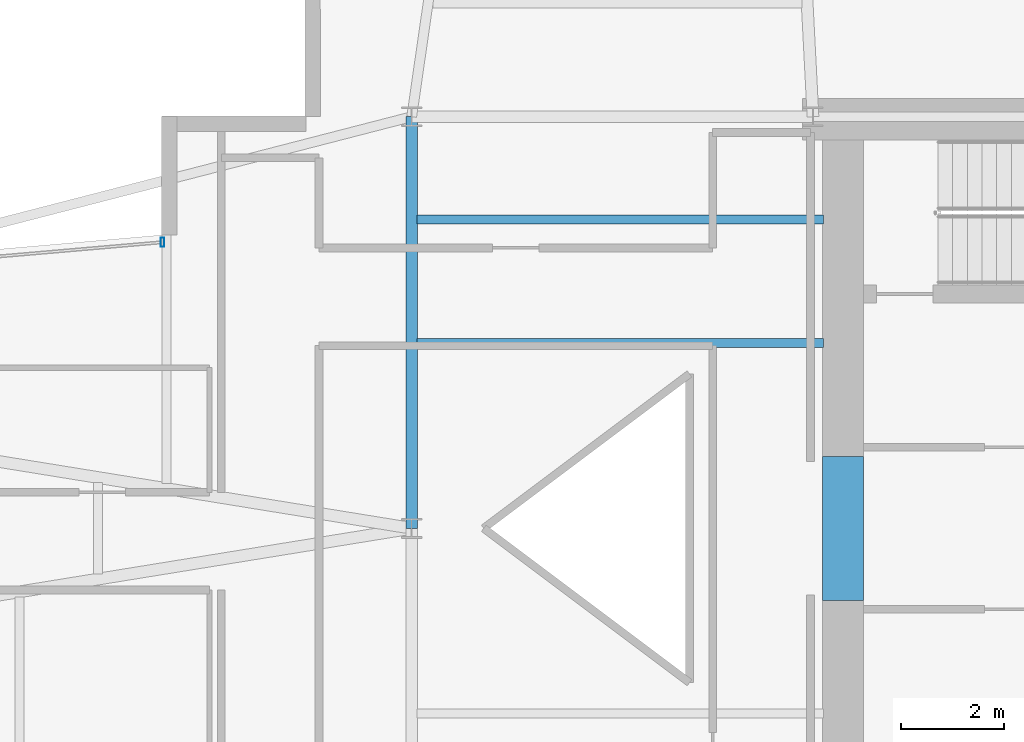
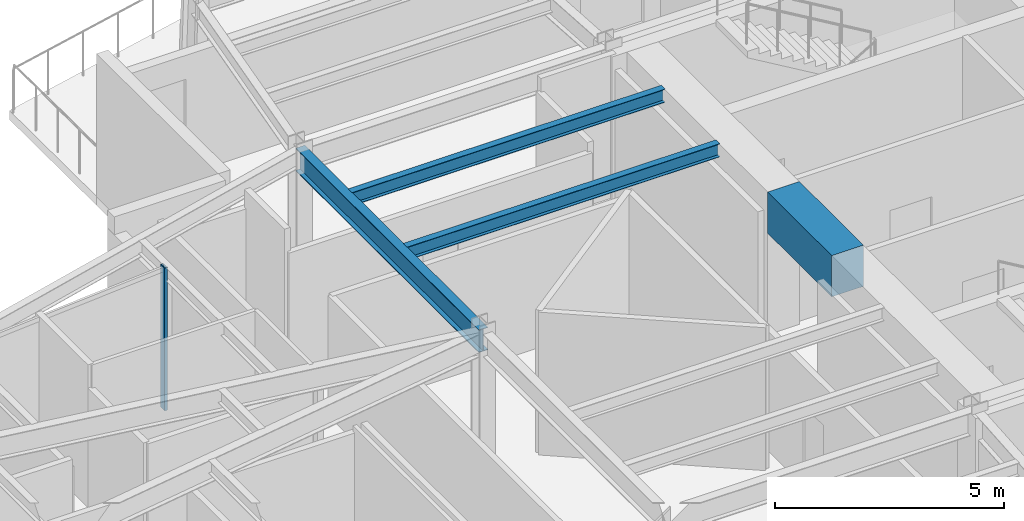
# One storey, part 11 of 23: 4 beams, 1 member, 1 element without a shape of its own.
"""IFC4 building model written with IfcOpenShell, lengths in metres."""

from ifc_helpers import new_model, si_unit, direction, frame, origin, origin_2d, place, context, subcontext, project, spatial, rectangle, hollow_rectangle, i_section, extrude, material, layer, layer_set, material_profile, profile_set, type_object, element, aggregate, save


model = new_model("IFC4")

# Units and contexts
model_context = context("Model", 3, precision=1e-05, world=origin(), true_north=direction((0.0, 1.0)))
body_context = subcontext(model_context, "Body", "Model", "MODEL_VIEW")
ifc_project = project(units=[si_unit("LENGTHUNIT", "METRE"), si_unit("AREAUNIT", "SQUARE_METRE"), si_unit("VOLUMEUNIT", "CUBIC_METRE"), si_unit("PLANEANGLEUNIT", "RADIAN"), si_unit("MASSUNIT", "GRAM", prefix="KILO")], contexts=[model_context])

# Site, building, storey
site_placement = place(None, origin())
site = spatial("IfcSite", under=ifc_project, at=site_placement, CompositionType="ELEMENT")
building_placement = place(site_placement, origin())
building = spatial("IfcBuilding", under=site, at=building_placement, Name="Veymaron Broadcast Tower", CompositionType="ELEMENT")
storey_placement = place(building_placement, frame((0.0, 0.0, 165.449951171875)))
storey = spatial("IfcBuildingStorey", under=building, at=storey_placement, Name="L38", CompositionType="ELEMENT", Elevation=165.449951171875)

# Beams
ifc_material_1 = material(Name="Concrete C70/85", Category="concrete")
ifc_material_profile_1 = material_profile(ifc_material_1, rectangle(XDim=0.800048828125, YDim=1.10009765625, at=origin_2d()), Name="RC800X1100")
ifc_profile_set_1 = profile_set([ifc_material_profile_1], Name="Concrete C70/85")
beam_type_1 = type_object("IfcBeamType", Name="BM-CB1", PredefinedType="LINTEL", material=ifc_profile_set_1)
beam_1_placement = place(storey_placement, frame((39.580078125, 22.60009765625, 3.260009765625), z_axis=(0.0, 1.0, 0.0), x_axis=(-1.0, 0.0, 0.0)))
element("IfcBeam", 1, at=beam_1_placement, inside=storey, type_object=beam_type_1, Name="L38 Core Wall west coupling beam", PredefinedType="LINTEL", context=body_context, shape_type="SweptSolid", body=[
    extrude(rectangle(XDim=0.800048828125, YDim=1.10009765625, at=origin_2d()), origin(), (0.0, 0.0, 1.0), 2.7998046875),
])
ifc_material_2 = material(Name="Structural steel ASTM A992 Gr 50", Category="steel")
ifc_material_profile_2 = material_profile(ifc_material_2, i_section(OverallWidth=0.22802734375, OverallDepth=0.60791015625, WebThickness=0.01123046875, FlangeThickness=0.017333984375, at=origin_2d()), Name="W610X113")
ifc_profile_set_2 = profile_set([ifc_material_profile_2], Name="Structural steel ASTM A992 Gr 50")
beam_type_2 = type_object("IfcBeamType", Name="BM-FG2", PredefinedType="BEAM", material=ifc_profile_set_2)
beam_2_placement = place(storey_placement, frame((31.199951171875, 24.0, 3.506103515625), z_axis=(0.0, 1.0, 0.0), x_axis=(-1.0, 0.0, 0.0)))
element("IfcBeam", 2, at=beam_2_placement, inside=storey, type_object=beam_type_2, Name="L38 primary structural floor girder", PredefinedType="BEAM", context=body_context, shape_type="SweptSolid", body=[
    extrude(i_section(OverallWidth=0.22802734375, OverallDepth=0.60791015625, WebThickness=0.01123046875, FlangeThickness=0.017333984375, at=origin_2d()), origin(), (0.0, 0.0, 1.0), 8.0),
])
ifc_material_profile_3 = material_profile(ifc_material_2, i_section(OverallWidth=0.1708984375, OverallDepth=0.35498046875, WebThickness=0.007080078125, FlangeThickness=0.01171875, at=origin_2d()), Name="W360X51")
ifc_profile_set_3 = profile_set([ifc_material_profile_3], Name="Structural steel ASTM A992 Gr 50")
beam_type_3 = type_object("IfcBeamType", Name="BM-JS2", PredefinedType="JOIST", material=ifc_profile_set_3)
for number, where, z_axis, x_axis, name in (
    (3, (31.300048828125, 27.60009765625, 3.632568359375), (1.0, 0.0, 0.0), (0.0, 1.0, 0.0), "L38 Hub secondary joist 3"),
    (4, (31.300048828125, 30.0, 3.632568359375), (1.0, 0.0, 0.0), (0.0, 1.0, 0.0), "L38 Hub secondary joist 4"),
):
    element("IfcBeam", number, at=place(storey_placement, frame(where, z_axis=z_axis, x_axis=x_axis)), inside=storey, type_object=beam_type_3, Name=name, PredefinedType="JOIST", context=body_context, shape_type="SweptSolid", body=[
        extrude(i_section(OverallWidth=0.1708984375, OverallDepth=0.35498046875, WebThickness=0.007080078125, FlangeThickness=0.01171875, at=origin_2d()), origin(), (0.0, 0.0, 1.0), 7.89990234375),
    ])

# Curtain wall, member
ifc_material_3 = material(Name="Anodised aluminium AA 6063-T6 and laminated low-E dark glass", Category="aluminium")
ifc_layer = layer(ifc_material_3, 0.179931640625)
ifc_layer_set = layer_set([ifc_layer], Name="Anodised aluminium AA 6063-T6 and laminated low-E dark glass")
curtain_wall_type = type_object("IfcCurtainWallType", Name="CW-SYS-03", PredefinedType="NOTDEFINED", material=ifc_layer_set)
curtain_wall_placement = place(storey_placement, origin())
curtain_wall = element("IfcCurtainWall", 5, at=curtain_wall_placement, inside=storey, type_object=curtain_wall_type, Name="L38 dark-glass curtain wall CW-L38-E11-1", PredefinedType="NOTDEFINED")
ifc_material_4 = material(Name="Anodised aluminium AA 6063-T6", Category="aluminium")
ifc_material_profile_4 = material_profile(ifc_material_4, hollow_rectangle(XDim=0.074951171875, YDim=0.179931640625, WallThickness=0.0048828125, at=origin_2d()), Name="AL180X75X5")
ifc_profile_set_4 = profile_set([ifc_material_profile_4], Name="Anodised aluminium AA 6063-T6")
member_type = type_object("IfcMemberType", Name="CW-MUL-02", PredefinedType="MULLION", material=ifc_profile_set_4)
member_placement = place(storey_placement, frame((26.356201171875, 29.560791015625, 0.0), z_axis=(0.0, 0.0, 1.0), x_axis=(1.0, 0.0, 0.0)))
member = element("IfcMember", 6, at=member_placement, type_object=member_type, Name="CW-L38-E11-1 mullion 0", PredefinedType="MULLION", context=body_context, shape_type="SweptSolid", body=[
    extrude(hollow_rectangle(XDim=0.074951171875, YDim=0.179931640625, WallThickness=0.0048828125, at=origin_2d()), origin(), (0.0, 0.0, 1.0), 3.81005859375),
])
aggregate(curtain_wall, [member])

save(model, "model.ifc")
